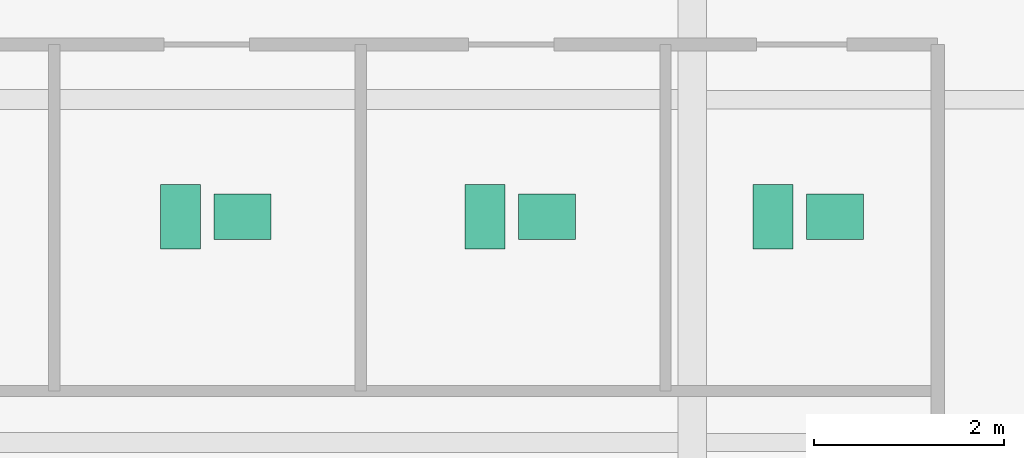
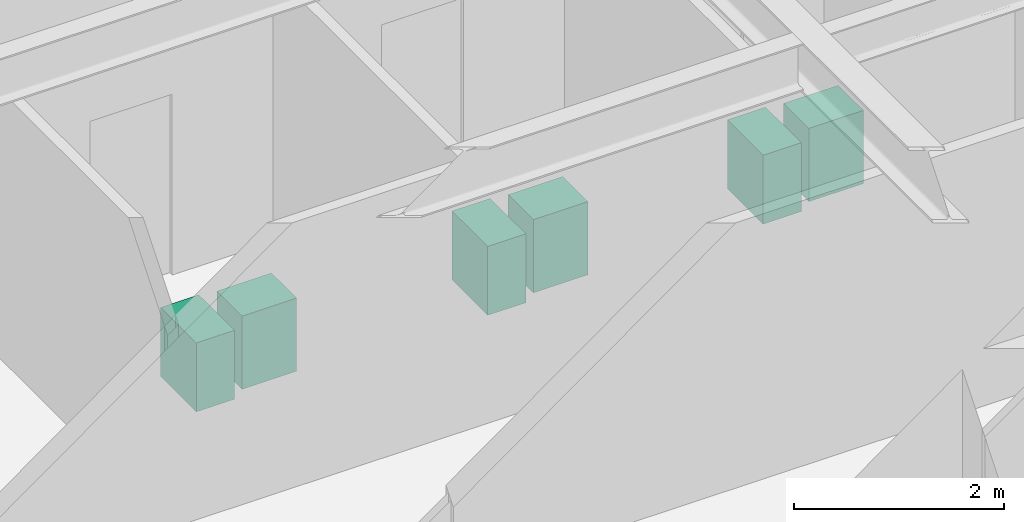
# One storey, part 30 of 30: 6 sanitary terminals.
"""IFC4 building model written with IfcOpenShell, lengths in metres."""

import ifcopenshell
import ifcopenshell.guid

model = None  # the IFC model being written
_history = None  # IfcOwnerHistory: only IFC2X3 demands one
_inside = {}  # id of a spatial element -> (the spatial element, [elements in it])
_under = {}  # id of a project, library or spatial element -> (it, [spatial elements below it])
_declared = {}  # id of a project -> (the project, [libraries it declares])
_typed = {}  # id of a type object -> (the type object, [elements of that type])
_made_of = {}  # id of a material, layer set ... -> (it, [elements and type objects made of it])


def new_model(schema):
    """Start an empty IFC model of exactly this schema.

    Asked for "IFC4X3", IfcOpenShell would pick the latest addendum, in which some entities
    have other attributes; the version numbers below select the first issue.
    IFC2X3 requires an IfcOwnerHistory on every rooted entity: one is made here for all.
    """
    global model, _history
    if schema == "IFC4X3":
        model = ifcopenshell.file(schema_version=(4, 3, 0, 0))
    else:
        model = ifcopenshell.file(schema=schema)
    _inside.clear()
    _under.clear()
    _declared.clear()
    _typed.clear()
    _made_of.clear()
    _history = None
    if model.schema == "IFC2X3":
        org = make("IfcOrganization", Name="unknown")
        user = make(
            "IfcPersonAndOrganization",
            ThePerson=make("IfcPerson", FamilyName="unknown"),
            TheOrganization=org,
        )
        app = make(
            "IfcApplication",
            ApplicationDeveloper=org,
            Version="unknown",
            ApplicationFullName="unknown",
            ApplicationIdentifier="unknown",
        )
        _history = make(
            "IfcOwnerHistory",
            OwningUser=user,
            OwningApplication=app,
            ChangeAction="ADDED",
            CreationDate=0,
        )
    return model


def make(cls, **values):
    """One entity of the class cls with the attributes given. An attribute that is None is left unset."""
    return model.create_entity(
        cls, **{name: value for name, value in values.items() if value is not None}
    )


def rooted(cls, **values):
    """An entity with a GlobalId (a new one), such as an element, a storey or a relation."""
    return make(cls, GlobalId=ifcopenshell.guid.new(), OwnerHistory=_history, **values)


def si_unit(unit_type, name, prefix=None):
    """IfcSIUnit, for example si_unit("LENGTHUNIT", "METRE", prefix="MILLI")."""
    return make("IfcSIUnit", UnitType=unit_type, Prefix=prefix, Name=name)


def assignment(units):
    """IfcUnitAssignment: the units of a project."""
    return None if units is None else make("IfcUnitAssignment", Units=units)


def point(xyz):
    """IfcCartesianPoint."""
    return None if xyz is None else make("IfcCartesianPoint", Coordinates=xyz)


def direction(xyz):
    """IfcDirection."""
    return None if xyz is None else make("IfcDirection", DirectionRatios=xyz)


def frame(location, z_axis=None, x_axis=None):
    """IfcAxis2Placement3D, a coordinate frame: its origin and axes. An axis left out is left unset."""
    return make(
        "IfcAxis2Placement3D",
        Location=point(location),
        Axis=direction(z_axis),
        RefDirection=direction(x_axis),
    )


def frame_2d(location, x_axis=None):
    """IfcAxis2Placement2D, a coordinate frame in the plane: its origin and x axis."""
    return make(
        "IfcAxis2Placement2D", Location=point(location), RefDirection=direction(x_axis)
    )


def origin():
    """The frame at (0, 0, 0) with its axes left unset."""
    return frame((0.0, 0.0, 0.0))


def origin_2d():
    """The frame at (0, 0) in the plane with its x axis left unset."""
    return frame_2d((0.0, 0.0))


def place(relative_to, where):
    """IfcLocalPlacement: puts the frame where relative to a parent placement (None: the world)."""
    return make(
        "IfcLocalPlacement", PlacementRelTo=relative_to, RelativePlacement=where
    )


def context(
    kind, dimensions, precision=None, world=None, true_north=None, identifier=None
):
    """IfcGeometricRepresentationContext, for example the 3D "Model" context."""
    return make(
        "IfcGeometricRepresentationContext",
        ContextIdentifier=identifier,
        ContextType=kind,
        CoordinateSpaceDimension=dimensions,
        Precision=precision,
        WorldCoordinateSystem=world,
        TrueNorth=true_north,
    )


def subcontext(parent, identifier, kind, view, scale=None):
    """IfcGeometricRepresentationSubContext, for example "Body" below "Model"."""
    return make(
        "IfcGeometricRepresentationSubContext",
        ContextIdentifier=identifier,
        ContextType=kind,
        ParentContext=parent,
        TargetScale=scale,
        TargetView=view,
    )


def project(units=None, contexts=None):
    """IfcProject with its units and contexts."""
    return rooted(
        "IfcProject",
        Name="project",
        RepresentationContexts=contexts,
        UnitsInContext=assignment(units),
    )


def spatial(cls, under=None, at=None, **own):
    """A site, building, storey or space (cls), placed at a placement, below another one or the project."""
    s = rooted(cls, ObjectPlacement=at, **own)
    if under is not None:
        _under.setdefault(under.id(), (under, []))[1].append(s)
    return s


def profile(cls, at=None, kind="AREA", **sizes):
    """A parametric profile (cls). Its sizes go by their IFC names, for example OverallWidth=200.0."""
    return make(cls, ProfileType=kind, Position=at, **sizes)


def rectangle(**sizes):
    """IfcRectangleProfileDef."""
    return profile("IfcRectangleProfileDef", **sizes)


def extrude(swept, where, along, depth):
    """IfcExtrudedAreaSolid: the profile swept, set in the frame where, extruded along a direction by depth."""
    return make(
        "IfcExtrudedAreaSolid",
        SweptArea=swept,
        Position=where,
        ExtrudedDirection=direction(along),
        Depth=depth,
    )


def shape(context_of_items, identifier, shape_type, items):
    """IfcShapeRepresentation: the items that make up one representation, for example the "Body"."""
    return make(
        "IfcShapeRepresentation",
        ContextOfItems=context_of_items,
        RepresentationIdentifier=identifier,
        RepresentationType=shape_type,
        Items=items,
    )


def source(mapping_origin, context_of_items, identifier, shape_type, items):
    """IfcRepresentationMap: a shape defined once, which mapped items show again and again."""
    return make(
        "IfcRepresentationMap",
        MappingOrigin=mapping_origin,
        MappedRepresentation=shape(context_of_items, identifier, shape_type, items),
    )


def transform(
    local_origin,
    x_axis=None,
    y_axis=None,
    z_axis=None,
    scale=None,
    scale2=None,
    scale3=None,
    uniform=True,
):
    """IfcCartesianTransformationOperator3D, or its non-uniform kind. x_axis, y_axis, z_axis: its Axis1, 2, 3."""
    if uniform:
        return make(
            "IfcCartesianTransformationOperator3D",
            Axis1=direction(x_axis),
            Axis2=direction(y_axis),
            LocalOrigin=point(local_origin),
            Scale=scale,
            Axis3=direction(z_axis),
        )
    return make(
        "IfcCartesianTransformationOperator3DnonUniform",
        Axis1=direction(x_axis),
        Axis2=direction(y_axis),
        LocalOrigin=point(local_origin),
        Scale=scale,
        Axis3=direction(z_axis),
        Scale2=scale2,
        Scale3=scale3,
    )


def mapped(mapping_source, mapping_target):
    """IfcMappedItem: shows the shape of a source again, moved by a transform."""
    return make(
        "IfcMappedItem", MappingSource=mapping_source, MappingTarget=mapping_target
    )


def material(Name=None, Category=None):
    """IfcMaterial."""
    return make("IfcMaterial", Name=Name, Category=Category)


def made_of(thing, what):
    """Note that an element or type object is made of a material, layer set ...; save() writes the relation."""
    if what is not None:
        _made_of.setdefault(what.id(), (what, []))[1].append(thing)
    return thing


def type_object(cls, material=None, **own):
    """A type object (cls), such as IfcWallType, which elements share."""
    return made_of(rooted(cls, **own), material)


def type_shapes(of_type, sources):
    """Give a type object the sources (RepresentationMaps) that its elements show as mapped items."""
    of_type.RepresentationMaps = sources


def element(
    cls,
    number,
    at=None,
    inside=None,
    cuts=None,
    type_object=None,
    material=None,
    context=None,
    identifier="Body",
    shape_type=None,
    held_by="IfcProductDefinitionShape",
    body=None,
    shapes=None,
    **own,
):
    """One element of the class cls, such as IfcWall. Its Tag is "e" and its number.

    at: its placement. inside: the storey or other place that contains it. cuts: it is an
    opening in that element (IfcRelVoidsElement). A single representation is given by context,
    identifier, shape_type and body (its items); several are given by shapes. held_by: the class
    of the entity that holds the representations. save() writes the other relations.
    """
    e = rooted(cls, Tag="e%d" % number, ObjectPlacement=at, **own)
    if body is not None:
        shapes = [shape(context, identifier, shape_type, body)]
    if shapes is not None:
        e.Representation = make(held_by, Representations=shapes)
    if inside is not None:
        _inside.setdefault(inside.id(), (inside, []))[1].append(e)
    if cuts is not None:
        rooted(
            "IfcRelVoidsElement", RelatingBuildingElement=cuts, RelatedOpeningElement=e
        )
    if type_object is not None:
        _typed.setdefault(type_object.id(), (type_object, []))[1].append(e)
    return made_of(e, material)


def aggregate(whole, parts):
    """IfcRelAggregates: a whole, such as a stair, and the parts it consists of."""
    return rooted("IfcRelAggregates", RelatingObject=whole, RelatedObjects=parts)


def save(model, path):
    """Write the relations noted so far, then the file.

    IfcRelAggregates (storeys below a building ...), IfcRelContainedInSpatialStructure (elements
    in a storey), IfcRelDefinesByType, IfcRelAssociatesMaterial and IfcRelDeclares: one each for
    every whole, place, type object, material and project.
    """
    for whole, parts in _under.values():
        aggregate(whole, parts)
    for where, things in _inside.values():
        rooted(
            "IfcRelContainedInSpatialStructure",
            RelatedElements=things,
            RelatingStructure=where,
        )
    for kind, things in _typed.values():
        rooted("IfcRelDefinesByType", RelatedObjects=things, RelatingType=kind)
    for what, things in _made_of.values():
        rooted("IfcRelAssociatesMaterial", RelatedObjects=things, RelatingMaterial=what)
    for by, libraries in _declared.values():
        rooted("IfcRelDeclares", RelatingContext=by, RelatedDefinitions=libraries)
    model.write(path)


model = new_model("IFC4")

# Units and contexts
model_context = context("Model", 3, precision=1e-05, world=origin(), true_north=direction((0.0, 1.0)))
body_context = subcontext(model_context, "Body", "Model", "MODEL_VIEW")
ifc_project = project(units=[si_unit("LENGTHUNIT", "METRE"), si_unit("AREAUNIT", "SQUARE_METRE"), si_unit("VOLUMEUNIT", "CUBIC_METRE"), si_unit("PLANEANGLEUNIT", "RADIAN"), si_unit("MASSUNIT", "GRAM", prefix="KILO")], contexts=[model_context])

# Site, building, storey
site_placement = place(None, origin())
site = spatial("IfcSite", under=ifc_project, at=site_placement, CompositionType="ELEMENT")
building_placement = place(site_placement, origin())
building = spatial("IfcBuilding", under=site, at=building_placement, Name="Krantzveldt Concourse Tower", CompositionType="ELEMENT")
storey_placement = place(building_placement, frame((0.0, 0.0, 36.85009765625)))
storey = spatial("IfcBuildingStorey", under=building, at=storey_placement, Name="L08", CompositionType="ELEMENT", Elevation=36.85009765625)

# Sanitary terminals
ifc_material = material(Name="Vitreous china", Category="ceramic")
sanitary_terminal_type_1 = type_object("IfcSanitaryTerminalType", Name="SAN-WC-SUITE", PredefinedType="TOILETPAN", material=ifc_material)
shared_shape_1 = source(origin(), body_context, "Body", "SweptSolid", [
    extrude(rectangle(XDim=0.419921875, YDim=0.679931640625, at=origin_2d()), origin(), (0.0, 0.0, 1.0), 0.800048828125),
])
type_shapes(sanitary_terminal_type_1, [shared_shape_1])
for number, where, z_axis, x_axis, name in (
    (1, (36.02490234375, 32.570068359375, 0.0), (0.0, 0.0, 1.0), (1.0, 0.0, 0.0), "WC-SP-L08-WCM"),
    (2, (39.22509765625, 32.570068359375, 0.0), (0.0, 0.0, 1.0), (1.0, 0.0, 0.0), "WC-SP-L08-WCF"),
    (3, (42.25, 32.570068359375, 0.0), (0.0, 0.0, 1.0), (1.0, 0.0, 0.0), "WC-SP-L08-WCA"),
):
    element("IfcSanitaryTerminal", number, at=place(storey_placement, frame(where, z_axis=z_axis, x_axis=x_axis)), inside=storey, type_object=sanitary_terminal_type_1, Name=name, PredefinedType="TOILETPAN", context=body_context, shape_type="MappedRepresentation", body=[
        mapped(shared_shape_1, transform((0.0, 0.0, 0.0), x_axis=(1.0, 0.0, 0.0), y_axis=(0.0, 1.0, 0.0), z_axis=(0.0, 0.0, 1.0), scale=1.0)),
    ])
sanitary_terminal_type_2 = type_object("IfcSanitaryTerminalType", Name="SAN-BASIN-600", PredefinedType="WASHHANDBASIN", material=ifc_material)
shared_shape_2 = source(origin(), body_context, "Body", "SweptSolid", [
    extrude(rectangle(XDim=0.60009765625, YDim=0.47998046875, at=origin_2d()), origin(), (0.0, 0.0, 1.0), 0.85009765625),
])
type_shapes(sanitary_terminal_type_2, [shared_shape_2])
for number, where, z_axis, x_axis, name in (
    (4, (36.675048828125, 32.570068359375, 0.0048828125), (0.0, 0.0, 1.0), (1.0, 0.0, 0.0), "BSN-SP-L08-WCM"),
    (5, (39.875, 32.570068359375, 0.0048828125), (0.0, 0.0, 1.0), (1.0, 0.0, 0.0), "BSN-SP-L08-WCF"),
    (6, (42.89990234375, 32.570068359375, 0.0048828125), (0.0, 0.0, 1.0), (1.0, 0.0, 0.0), "BSN-SP-L08-WCA"),
):
    element("IfcSanitaryTerminal", number, at=place(storey_placement, frame(where, z_axis=z_axis, x_axis=x_axis)), inside=storey, type_object=sanitary_terminal_type_2, Name=name, PredefinedType="WASHHANDBASIN", context=body_context, shape_type="MappedRepresentation", body=[
        mapped(shared_shape_2, transform((0.0, 0.0, 0.0), x_axis=(1.0, 0.0, 0.0), y_axis=(0.0, 1.0, 0.0), z_axis=(0.0, 0.0, 1.0), scale=1.0)),
    ])

save(model, "model.ifc")
